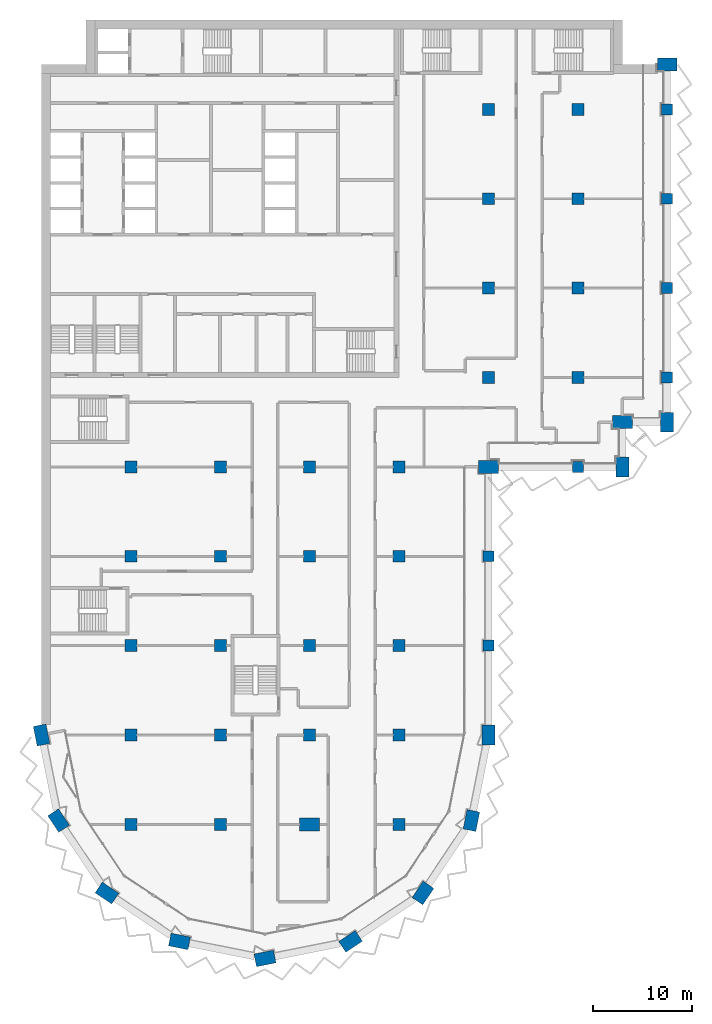
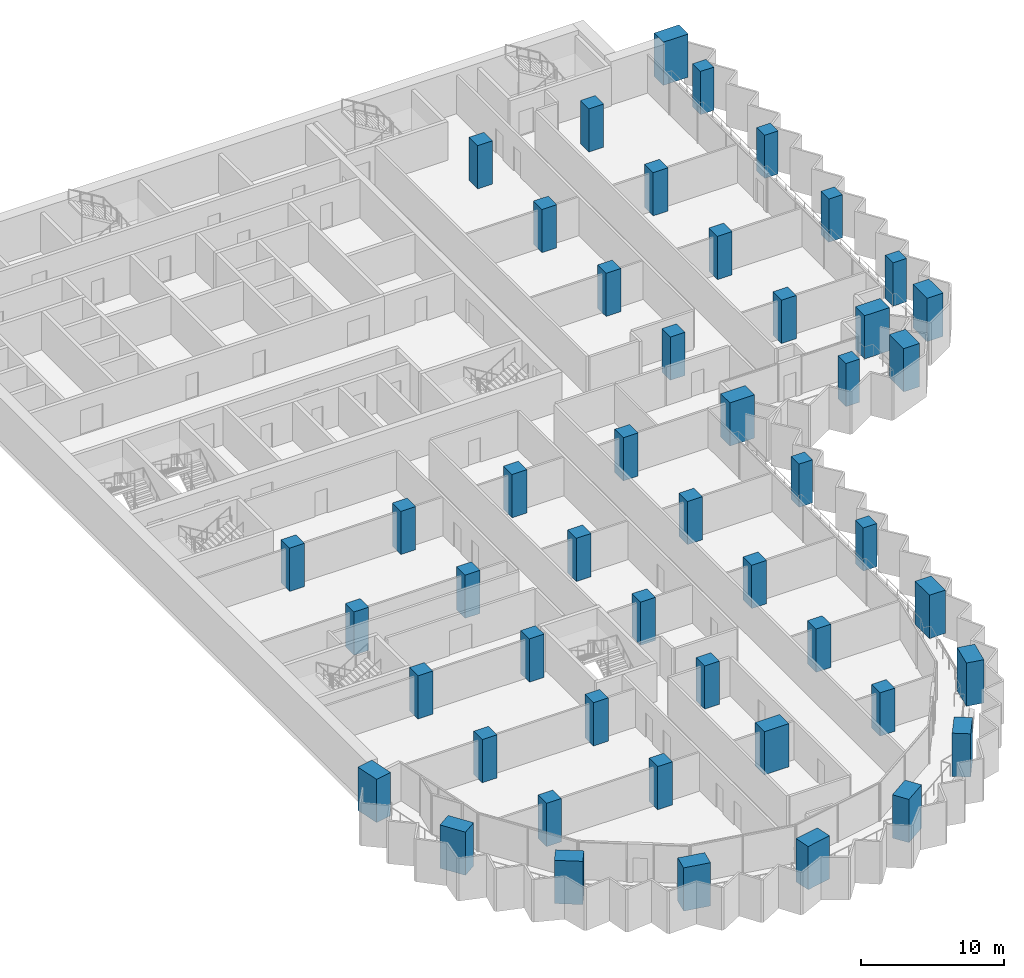
# One storey, part 1 of 23: 49 columns.
"""IFC4 building model written with IfcOpenShell, lengths in metres."""

from ifc_helpers import new_model, si_unit, direction, frame, origin, origin_2d, place, context, subcontext, project, spatial, rectangle, extrude, material, material_profile, profile_set, type_object, element, save


model = new_model("IFC4")

# Units and contexts
model_context = context("Model", 3, precision=1e-05, world=origin(), true_north=direction((0.0, 1.0)))
body_context = subcontext(model_context, "Body", "Model", "MODEL_VIEW")
ifc_project = project(units=[si_unit("LENGTHUNIT", "METRE"), si_unit("AREAUNIT", "SQUARE_METRE"), si_unit("VOLUMEUNIT", "CUBIC_METRE"), si_unit("PLANEANGLEUNIT", "RADIAN"), si_unit("MASSUNIT", "GRAM", prefix="KILO")], contexts=[model_context])

# Site, building, storey
site_placement = place(None, origin())
site = spatial("IfcSite", under=ifc_project, at=site_placement, CompositionType="ELEMENT")
building_placement = place(site_placement, origin())
building = spatial("IfcBuilding", under=site, at=building_placement, Name="Hunhe Ridgeline Campus", CompositionType="ELEMENT")
storey_placement = place(building_placement, frame((0.0, 0.0, 167.10009765625)))
storey = spatial("IfcBuildingStorey", under=building, at=storey_placement, Name="L42", CompositionType="ELEMENT", Elevation=167.10009765625)

# Columns
ifc_material = material(Name="Concrete C70", Category="concrete")
ifc_material_profile_1 = material_profile(ifc_material, rectangle(XDim=2.0, YDim=1.300048828125, at=origin_2d()))
ifc_profile_set_1 = profile_set([ifc_material_profile_1], Name="Concrete C70")
column_type_1 = type_object("IfcColumnType", Name="Megacolumn 2000x1300 Concrete C70", PredefinedType="COLUMN", material=ifc_profile_set_1)
for number, where, z_axis, x_axis, name in (
    (1, (22.5, 4.5, 0.0), (0.0, 0.0, 1.0), (0.980785280403, 0.195090322016, 0.0), "Column C9 R1 L42"),
    (2, (13.8896484375, 6.212646484375, 0.0), (0.0, 0.0, 1.0), (-0.980785280403, 0.195090322016, 0.0), "Column C9 R2 L42"),
    (3, (31.1103515625, 6.212646484375, 0.0), (0.0, 0.0, 1.0), (0.831469612303, 0.55557023302, 0.0), "Column C9 R3 L42"),
    (4, (6.590087890625, 11.090087890625, 0.0), (0.0, 0.0, 1.0), (-0.831469612303, 0.55557023302, 0.0), "Column C9 R4 L42"),
    (5, (38.409912109375, 11.090087890625, 0.0), (0.0, 0.0, 1.0), (0.55557023302, 0.831469612303, 0.0), "Column C9 R5 L42"),
    (6, (1.712646484375, 18.3896484375, 0.0), (0.0, 0.0, 1.0), (-0.55557023302, 0.831469612303, 0.0), "Column C9 R9 L42"),
    (7, (43.287353515625, 18.3896484375, 0.0), (0.0, 0.0, 1.0), (0.195090322016, 0.980785280403, 0.0), "Column C9 R10 L42"),
    (8, (0.0, 27.0, 0.0), (0.0, 0.0, 1.0), (-0.195090322016, 0.980785280403, 0.0), "Column C9 D1 L42"),
    (9, (45.0, 27.0, 0.0), (0.0, 0.0, 1.0), (0.0, 1.0, 0.0), "Column C9 D6 L42"),
    (10, (45.0, 54.0, 0.0), (0.0, 0.0, 1.0), (1.0, 0.0, 0.0), "Column C9 G6 L42"),
    (11, (58.5, 54.0, 0.0), (0.0, 0.0, 1.0), (0.0, 1.0, 0.0), "Column C9 R30 L42"),
    (12, (58.5, 58.5, 0.0), (0.0, 0.0, 1.0), (1.0, 0.0, 0.0), "Column C9 R35 L42"),
    (13, (63.0, 58.5, 0.0), (0.0, 0.0, 1.0), (0.0, 1.0, 0.0), "Column C9 R36 L42"),
    (14, (63.0, 94.5, 0.0), (0.0, 0.0, 1.0), (1.0, 0.0, 0.0), "Column C9 R42 L42"),
    (15, (27.0, 18.0, 0.0), (0.0, 0.0, 1.0), (1.0, 0.0, 0.0), "Column C9 C4 L42"),
):
    element("IfcColumn", number, at=place(storey_placement, frame(where, z_axis=z_axis, x_axis=x_axis)), inside=storey, type_object=column_type_1, Name=name, PredefinedType="COLUMN", context=body_context, shape_type="SweptSolid", body=[
        extrude(rectangle(XDim=2.0, YDim=1.300048828125, at=origin_2d()), origin(), (0.0, 0.0, 1.0), 3.699951171875),
    ])
ifc_material_profile_2 = material_profile(ifc_material, rectangle(XDim=1.10009765625, YDim=1.10009765625, at=origin_2d()))
ifc_profile_set_2 = profile_set([ifc_material_profile_2], Name="Concrete C70")
column_type_2 = type_object("IfcColumnType", Name="RC column 1100x1100 Concrete C70", PredefinedType="COLUMN", material=ifc_profile_set_2)
for number, where, z_axis, x_axis, name in (
    (16, (45.0, 36.0, 0.0), (0.0, 0.0, 1.0), (1.0, 0.0, 0.0), "Column C10 E6 L42"),
    (17, (45.0, 45.0, 0.0), (0.0, 0.0, 1.0), (1.0, 0.0, 0.0), "Column C10 F6 L42"),
    (18, (54.0, 54.0, 0.0), (0.0, 0.0, 1.0), (1.0, 0.0, 0.0), "Column C10 G7 L42"),
    (19, (63.0, 63.0, 0.0), (0.0, 0.0, 1.0), (1.0, 0.0, 0.0), "Column C10 H8 L42"),
    (20, (63.0, 72.0, 0.0), (0.0, 0.0, 1.0), (1.0, 0.0, 0.0), "Column C10 I8 L42"),
    (21, (63.0, 81.0, 0.0), (0.0, 0.0, 1.0), (1.0, 0.0, 0.0), "Column C10 J8 L42"),
    (22, (63.0, 90.0, 0.0), (0.0, 0.0, 1.0), (1.0, 0.0, 0.0), "Column C10 K8 L42"),
):
    element("IfcColumn", number, at=place(storey_placement, frame(where, z_axis=z_axis, x_axis=x_axis)), inside=storey, type_object=column_type_2, Name=name, PredefinedType="COLUMN", context=body_context, shape_type="SweptSolid", body=[
        extrude(rectangle(XDim=1.10009765625, YDim=1.10009765625, at=origin_2d()), origin(), (0.0, 0.0, 1.0), 3.699951171875),
    ])
ifc_material_profile_3 = material_profile(ifc_material, rectangle(XDim=1.199951171875, YDim=1.199951171875, at=origin_2d()))
ifc_profile_set_3 = profile_set([ifc_material_profile_3], Name="Concrete C70")
column_type_3 = type_object("IfcColumnType", Name="RC column 1200x1200 Concrete C70", PredefinedType="COLUMN", material=ifc_profile_set_3)
for number, where, z_axis, x_axis, name in (
    (23, (9.0, 18.0, 0.0), (0.0, 0.0, 1.0), (1.0, 0.0, 0.0), "Column C7 C2 L42"),
    (24, (9.0, 27.0, 0.0), (0.0, 0.0, 1.0), (1.0, 0.0, 0.0), "Column C7 D2 L42"),
    (25, (9.0, 36.0, 0.0), (0.0, 0.0, 1.0), (1.0, 0.0, 0.0), "Column C7 E2 L42"),
    (26, (9.0, 45.0, 0.0), (0.0, 0.0, 1.0), (1.0, 0.0, 0.0), "Column C7 F2 L42"),
    (27, (9.0, 54.0, 0.0), (0.0, 0.0, 1.0), (1.0, 0.0, 0.0), "Column C7 G2 L42"),
    (28, (18.0, 18.0, 0.0), (0.0, 0.0, 1.0), (1.0, 0.0, 0.0), "Column C7 C3 L42"),
    (29, (18.0, 27.0, 0.0), (0.0, 0.0, 1.0), (1.0, 0.0, 0.0), "Column C7 D3 L42"),
    (30, (18.0, 36.0, 0.0), (0.0, 0.0, 1.0), (1.0, 0.0, 0.0), "Column C7 E3 L42"),
    (31, (18.0, 45.0, 0.0), (0.0, 0.0, 1.0), (1.0, 0.0, 0.0), "Column C7 F3 L42"),
    (32, (18.0, 54.0, 0.0), (0.0, 0.0, 1.0), (1.0, 0.0, 0.0), "Column C7 G3 L42"),
    (33, (27.0, 27.0, 0.0), (0.0, 0.0, 1.0), (1.0, 0.0, 0.0), "Column C7 D4 L42"),
    (34, (27.0, 36.0, 0.0), (0.0, 0.0, 1.0), (1.0, 0.0, 0.0), "Column C7 E4 L42"),
    (35, (27.0, 45.0, 0.0), (0.0, 0.0, 1.0), (1.0, 0.0, 0.0), "Column C7 F4 L42"),
    (36, (27.0, 54.0, 0.0), (0.0, 0.0, 1.0), (1.0, 0.0, 0.0), "Column C7 G4 L42"),
    (37, (36.0, 18.0, 0.0), (0.0, 0.0, 1.0), (1.0, 0.0, 0.0), "Column C7 C5 L42"),
    (38, (36.0, 27.0, 0.0), (0.0, 0.0, 1.0), (1.0, 0.0, 0.0), "Column C7 D5 L42"),
    (39, (36.0, 36.0, 0.0), (0.0, 0.0, 1.0), (1.0, 0.0, 0.0), "Column C7 E5 L42"),
    (40, (36.0, 45.0, 0.0), (0.0, 0.0, 1.0), (1.0, 0.0, 0.0), "Column C7 F5 L42"),
    (41, (36.0, 54.0, 0.0), (0.0, 0.0, 1.0), (1.0, 0.0, 0.0), "Column C7 G5 L42"),
    (42, (45.0, 63.0, 0.0), (0.0, 0.0, 1.0), (1.0, 0.0, 0.0), "Column C7 H6 L42"),
    (43, (45.0, 72.0, 0.0), (0.0, 0.0, 1.0), (1.0, 0.0, 0.0), "Column C7 I6 L42"),
    (44, (45.0, 81.0, 0.0), (0.0, 0.0, 1.0), (1.0, 0.0, 0.0), "Column C7 J6 L42"),
    (45, (45.0, 90.0, 0.0), (0.0, 0.0, 1.0), (1.0, 0.0, 0.0), "Column C7 K6 L42"),
    (46, (54.0, 63.0, 0.0), (0.0, 0.0, 1.0), (1.0, 0.0, 0.0), "Column C7 H7 L42"),
    (47, (54.0, 72.0, 0.0), (0.0, 0.0, 1.0), (1.0, 0.0, 0.0), "Column C7 I7 L42"),
    (48, (54.0, 81.0, 0.0), (0.0, 0.0, 1.0), (1.0, 0.0, 0.0), "Column C7 J7 L42"),
    (49, (54.0, 90.0, 0.0), (0.0, 0.0, 1.0), (1.0, 0.0, 0.0), "Column C7 K7 L42"),
):
    element("IfcColumn", number, at=place(storey_placement, frame(where, z_axis=z_axis, x_axis=x_axis)), inside=storey, type_object=column_type_3, Name=name, PredefinedType="COLUMN", context=body_context, shape_type="SweptSolid", body=[
        extrude(rectangle(XDim=1.199951171875, YDim=1.199951171875, at=origin_2d()), origin(), (0.0, 0.0, 1.0), 3.699951171875),
    ])

save(model, "model.ifc")
